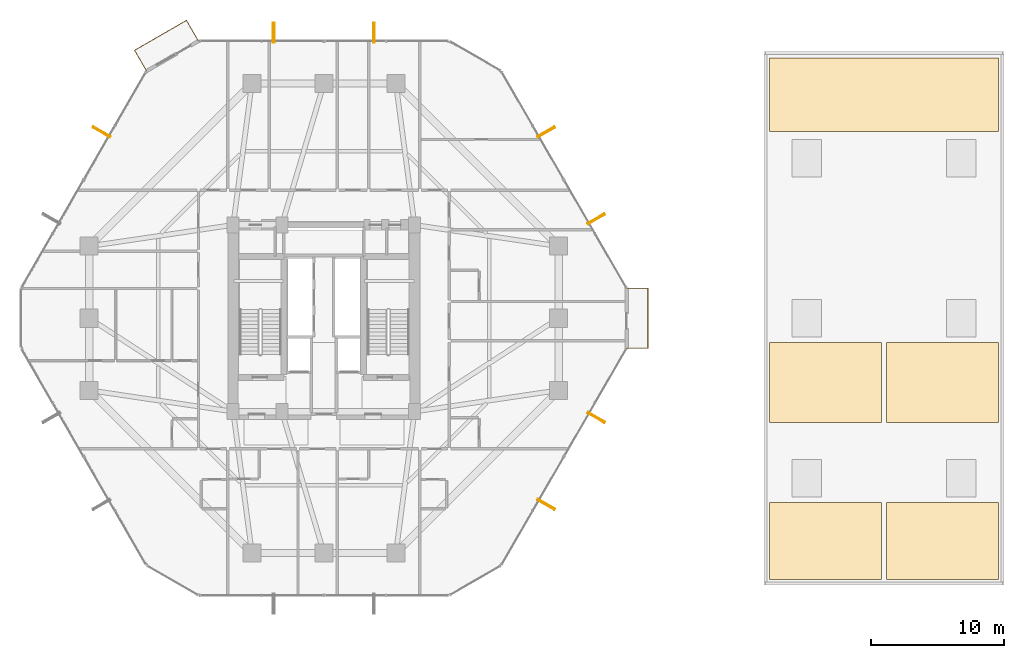
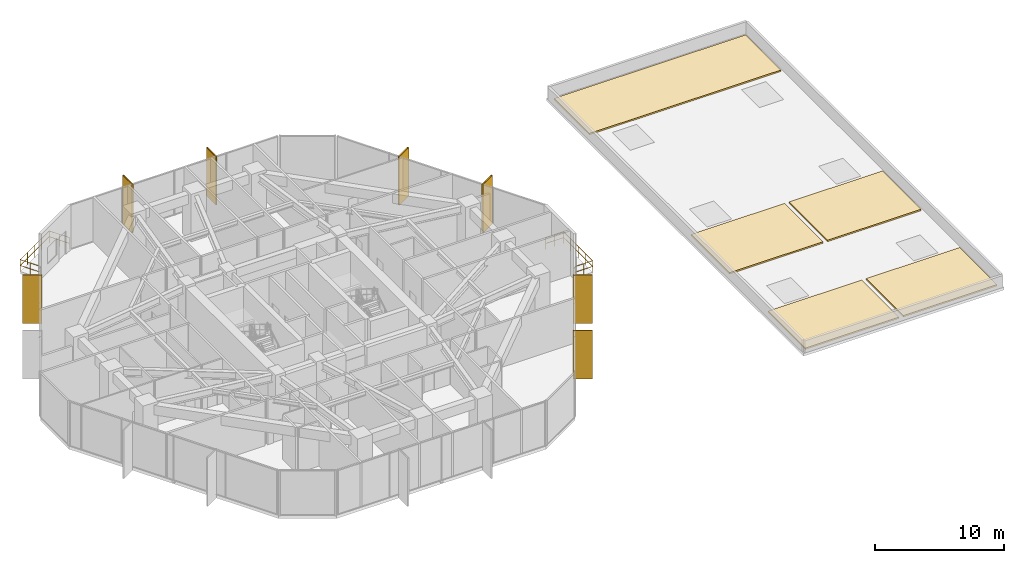
# One storey, part 39 of 39: 7 shading devices, 5 coverings, 2 railings.
"""IFC4 building model written with IfcOpenShell, lengths in metres."""

from ifc_helpers import new_model, si_unit, direction, frame, origin, origin_2d, place, context, subcontext, project, spatial, polyline, hollow_rectangle, circle, outline, extrude, material, layer, layer_set, material_profile, profile_set, type_object, element, save


model = new_model("IFC4")

# Units and contexts
model_context = context("Model", 3, precision=1e-05, world=origin(), true_north=direction((0.0, 1.0)))
body_context = subcontext(model_context, "Body", "Model", "MODEL_VIEW")
ifc_project = project(units=[si_unit("LENGTHUNIT", "METRE"), si_unit("AREAUNIT", "SQUARE_METRE"), si_unit("VOLUMEUNIT", "CUBIC_METRE"), si_unit("PLANEANGLEUNIT", "RADIAN"), si_unit("MASSUNIT", "GRAM", prefix="KILO")], contexts=[model_context])

# Site, building, storey
site_placement = place(None, origin())
site = spatial("IfcSite", under=ifc_project, at=site_placement, CompositionType="ELEMENT")
building_placement = place(site_placement, origin())
building = spatial("IfcBuilding", under=site, at=building_placement, Name="Veraguas Prism Commons", CompositionType="ELEMENT")
storey_placement = place(building_placement, frame((0.0, 0.0, 22.800048828125)))
storey = spatial("IfcBuildingStorey", under=building, at=storey_placement, Name="L05", CompositionType="ELEMENT", Elevation=22.800048828125)

# Shading devices
ifc_material_1 = material(Name="Anodised aluminium EN AW-6063 T6", Category="aluminium")
ifc_material_profile = material_profile(ifc_material_1, hollow_rectangle(XDim=0.1201171875, YDim=1.489990234375, WallThickness=0.006103515625, at=origin_2d()), Name="FIN120X1490X6")
ifc_profile_set = profile_set([ifc_material_profile], Name="Anodised aluminium EN AW-6063 T6")
shading_device_type = type_object("IfcShadingDeviceType", Name="Deep Pale-Metal Vertical Solar Fin 120x1490", PredefinedType="USERDEFINED", material=ifc_profile_set)
for number, where, z_axis, x_axis, name in (
    (1, (44.421630859375, 31.447998046875, -0.330078125), (0.0, 0.0, 1.0), (-0.500003022996, 0.86602365845, 0.0), "Vertical Pale-Metal Solar Fin L05-F1A"),
    (2, (40.660888671875, 37.961669921875, -0.330078125), (0.0, 0.0, 1.0), (-0.500003022996, 0.86602365845, 0.0), "Vertical Pale-Metal Solar Fin L05-F1B"),
    (3, (27.7607421875, 45.40966796875, -0.330078125), (0.0, 0.0, 1.0), (-1.0, 0.0, 0.0), "Vertical Pale-Metal Solar Fin L05-F2A"),
    (4, (20.2392578125, 45.40966796875, -0.330078125), (0.0, 0.0, 1.0), (-1.0, 0.0, 0.0), "Vertical Pale-Metal Solar Fin L05-F2B"),
    (5, (7.339111328125, 37.961669921875, -0.330078125), (0.0, 0.0, 1.0), (-0.500003022996, -0.86602365845, 0.0), "Vertical Pale-Metal Solar Fin L05-F3A"),
    (6, (40.660888671875, 10.038330078125, -0.330078125), (0.0, 0.0, 1.0), (0.500003022996, 0.86602365845, 0.0), "Vertical Pale-Metal Solar Fin L05-F6A"),
    (7, (44.421630859375, 16.552001953125, -0.330078125), (0.0, 0.0, 1.0), (0.500003022996, 0.86602365845, 0.0), "Vertical Pale-Metal Solar Fin L05-F6B"),
):
    element("IfcShadingDevice", number, at=place(storey_placement, frame(where, z_axis=z_axis, x_axis=x_axis)), inside=storey, type_object=shading_device_type, Name=name, ObjectType="FIN", PredefinedType="USERDEFINED", context=body_context, shape_type="SweptSolid", body=[
        extrude(hollow_rectangle(XDim=0.1201171875, YDim=1.489990234375, WallThickness=0.006103515625, at=origin_2d()), origin(), (0.0, 0.0, 1.0), 4.60009765625),
    ])

# Coverings
ifc_material_2 = material(Name="EPDM waterproof membrane")
ifc_layer = layer(ifc_material_2, 0.139892578125, Name="Insulated EPDM Roof Membrane 140")
ifc_layer_set = layer_set([ifc_layer], Name="EPDM waterproof membrane")
covering_type = type_object("IfcCoveringType", Name="Insulated EPDM Roof Membrane 140", PredefinedType="ROOFING", material=ifc_layer_set)
covering_1_placement = place(storey_placement, origin())
element("IfcCovering", 8, at=covering_1_placement, inside=storey, type_object=covering_type, Name="Health Centre Roof Waterproof Membrane 01", PredefinedType="ROOFING", context=body_context, shape_type="SweptSolid", body=[
    extrude(outline(polyline([(57.39990234375, 4.39990234375), (65.800048828125, 4.39990234375), (65.800048828125, 10.199951171875), (57.39990234375, 10.199951171875), (57.39990234375, 4.39990234375)])), origin(), (0.0, 0.0, 1.0), 0.139892578125),
])
covering_2_placement = place(storey_placement, origin())
element("IfcCovering", 9, at=covering_2_placement, inside=storey, type_object=covering_type, Name="Health Centre Roof Waterproof Membrane 02", PredefinedType="ROOFING", context=body_context, shape_type="SweptSolid", body=[
    extrude(outline(polyline([(66.199951171875, 4.39990234375), (74.60009765625, 4.39990234375), (74.60009765625, 10.199951171875), (66.199951171875, 10.199951171875), (66.199951171875, 4.39990234375)])), origin(), (0.0, 0.0, 1.0), 0.139892578125),
])
covering_3_placement = place(storey_placement, origin())
element("IfcCovering", 10, at=covering_3_placement, inside=storey, type_object=covering_type, Name="Health Centre Roof Waterproof Membrane 03", PredefinedType="ROOFING", context=body_context, shape_type="SweptSolid", body=[
    extrude(outline(polyline([(57.39990234375, 16.199951171875), (65.800048828125, 16.199951171875), (65.800048828125, 22.199951171875), (57.39990234375, 22.199951171875), (57.39990234375, 16.199951171875)])), origin(), (0.0, 0.0, 1.0), 0.139892578125),
])
covering_4_placement = place(storey_placement, origin())
element("IfcCovering", 11, at=covering_4_placement, inside=storey, type_object=covering_type, Name="Health Centre Roof Waterproof Membrane 04", PredefinedType="ROOFING", context=body_context, shape_type="SweptSolid", body=[
    extrude(outline(polyline([(66.199951171875, 16.199951171875), (74.60009765625, 16.199951171875), (74.60009765625, 22.199951171875), (66.199951171875, 22.199951171875), (66.199951171875, 16.199951171875)])), origin(), (0.0, 0.0, 1.0), 0.139892578125),
])
covering_5_placement = place(storey_placement, origin())
element("IfcCovering", 12, at=covering_5_placement, inside=storey, type_object=covering_type, Name="Health Centre Roof Waterproof Membrane 05", PredefinedType="ROOFING", context=body_context, shape_type="SweptSolid", body=[
    extrude(outline(polyline([(57.39990234375, 38.0), (74.60009765625, 38.0), (74.60009765625, 43.5), (57.39990234375, 43.5), (57.39990234375, 38.0)])), origin(), (0.0, 0.0, 1.0), 0.139892578125),
])

# Railings
ifc_material_3 = material(Name="Stainless steel AISI 316", Category="steel")
railing_type_1 = type_object("IfcRailingType", Name="Loggia and Sky Pool Glazed Balustrade 1120", PredefinedType="BALUSTRADE", material=ifc_material_3)
railing_1_placement = place(storey_placement, frame((46.700927734375, 21.75, 0.0)))
element("IfcRailing", 13, at=railing_1_placement, inside=storey, type_object=railing_type_1, Name="Recessed Corner Loggia L05-C1 Guard", PredefinedType="BALUSTRADE", context=body_context, shape_type="SweptSolid", body=[
    extrude(circle(Radius=0.02392578125, at=origin_2d()), frame((0.0, 0.0, 1.09619140625), z_axis=(1.0, 0.0, 0.0), x_axis=(0.0, 1.0, 0.0)), (0.0, 0.0, 1.0), 1.60009765625),
    extrude(circle(Radius=0.02392578125, at=origin_2d()), frame((0.0, 0.0, 0.56005859375), z_axis=(1.0, 0.0, 0.0), x_axis=(0.0, 1.0, 0.0)), (0.0, 0.0, 1.0), 1.60009765625),
    extrude(circle(Radius=0.02392578125, at=origin_2d()), frame((1.60009765625, 0.0, 1.09619140625), z_axis=(0.0, 1.0, 0.0), x_axis=(-1.0, 0.0, 0.0)), (0.0, 0.0, 1.0), 4.5),
    extrude(circle(Radius=0.02392578125, at=origin_2d()), frame((1.60009765625, 0.0, 0.56005859375), z_axis=(0.0, 1.0, 0.0), x_axis=(-1.0, 0.0, 0.0)), (0.0, 0.0, 1.0), 4.5),
    extrude(circle(Radius=0.02392578125, at=origin_2d()), frame((1.60009765625, 4.5, 1.09619140625), z_axis=(-1.0, 0.0, 0.0), x_axis=(0.0, -1.0, 0.0)), (0.0, 0.0, 1.0), 1.60009765625),
    extrude(circle(Radius=0.02392578125, at=origin_2d()), frame((1.60009765625, 4.5, 0.56005859375), z_axis=(-1.0, 0.0, 0.0), x_axis=(0.0, -1.0, 0.0)), (0.0, 0.0, 1.0), 1.60009765625),
    extrude(circle(Radius=0.02099609375, at=origin_2d()), origin(), (0.0, 0.0, 1.0), 1.072021484375),
    extrude(circle(Radius=0.02099609375, at=origin_2d()), frame((0.800048828125, 0.0, 0.0)), (0.0, 0.0, 1.0), 1.072021484375),
    extrude(circle(Radius=0.02099609375, at=origin_2d()), frame((1.60009765625, 0.0, 0.0)), (0.0, 0.0, 1.0), 1.072021484375),
    extrude(circle(Radius=0.02099609375, at=origin_2d()), frame((1.60009765625, 1.125, 0.0)), (0.0, 0.0, 1.0), 1.072021484375),
    extrude(circle(Radius=0.02099609375, at=origin_2d()), frame((1.60009765625, 2.25, 0.0)), (0.0, 0.0, 1.0), 1.072021484375),
    extrude(circle(Radius=0.02099609375, at=origin_2d()), frame((1.60009765625, 3.375, 0.0)), (0.0, 0.0, 1.0), 1.072021484375),
    extrude(circle(Radius=0.02099609375, at=origin_2d()), frame((1.60009765625, 4.5, 0.0)), (0.0, 0.0, 1.0), 1.072021484375),
    extrude(circle(Radius=0.02099609375, at=origin_2d()), frame((0.800048828125, 4.5, 0.0)), (0.0, 0.0, 1.0), 1.072021484375),
    extrude(circle(Radius=0.02099609375, at=origin_2d()), frame((0.0, 4.5, 0.0)), (0.0, 0.0, 1.0), 1.072021484375),
])
railing_type_2 = type_object("IfcRailingType", Name="Setback and Wind Portal Guardrail 1150", PredefinedType="GUARDRAIL", material=ifc_material_3)
railing_2_placement = place(storey_placement, frame((14.59814453125, 44.78466796875, 0.0)))
element("IfcRailing", 14, at=railing_2_placement, inside=storey, type_object=railing_type_2, Name="Setback Sky Terrace L05 Guard", PredefinedType="GUARDRAIL", context=body_context, shape_type="SweptSolid", body=[
    extrude(circle(Radius=0.02392578125, at=origin_2d()), frame((0.0, 0.0, 1.1259765625), z_axis=(-0.500062916607, 0.865989075817, 0.0), x_axis=(-0.865989075817, -0.500062916607, 0.0)), (0.0, 0.0, 1.0), 1.800048828125),
    extrude(circle(Radius=0.02392578125, at=origin_2d()), frame((0.0, 0.0, 0.574951171875), z_axis=(-0.500062916607, 0.865989075817, 0.0), x_axis=(-0.865989075817, -0.500062916607, 0.0)), (0.0, 0.0, 1.0), 1.800048828125),
    extrude(circle(Radius=0.02392578125, at=origin_2d()), frame((-0.900146484375, 1.558837890625, 1.1259765625), z_axis=(-0.866017533419, -0.500013631625, 0.0), x_axis=(0.500013631625, -0.866017533419, 0.0)), (0.0, 0.0, 1.0), 4.499755859375),
    extrude(circle(Radius=0.02392578125, at=origin_2d()), frame((-0.900146484375, 1.558837890625, 0.574951171875), z_axis=(-0.866017533419, -0.500013631625, 0.0), x_axis=(0.500013631625, -0.866017533419, 0.0)), (0.0, 0.0, 1.0), 4.499755859375),
    extrude(circle(Radius=0.02392578125, at=origin_2d()), frame((-4.797119140625, -0.691162109375, 1.1259765625), z_axis=(0.499961193289, -0.866047807691, 0.0), x_axis=(0.866047807691, 0.499961193289, 0.0)), (0.0, 0.0, 1.0), 1.800048828125),
    extrude(circle(Radius=0.02392578125, at=origin_2d()), frame((-4.797119140625, -0.691162109375, 0.574951171875), z_axis=(0.499961193289, -0.866047807691, 0.0), x_axis=(0.866047807691, 0.499961193289, 0.0)), (0.0, 0.0, 1.0), 1.800048828125),
    extrude(circle(Radius=0.02099609375, at=origin_2d()), origin(), (0.0, 0.0, 1.0), 1.101806640625),
    extrude(circle(Radius=0.02099609375, at=origin_2d()), frame((-0.4501953125, 0.779296875, 0.0)), (0.0, 0.0, 1.0), 1.101806640625),
    extrude(circle(Radius=0.02099609375, at=origin_2d()), frame((-0.900146484375, 1.558837890625, 0.0)), (0.0, 0.0, 1.0), 1.101806640625),
    extrude(circle(Radius=0.02099609375, at=origin_2d()), frame((-1.87451171875, 0.996337890625, 0.0)), (0.0, 0.0, 1.0), 1.101806640625),
    extrude(circle(Radius=0.02099609375, at=origin_2d()), frame((-2.8486328125, 0.433837890625, 0.0)), (0.0, 0.0, 1.0), 1.101806640625),
    extrude(circle(Radius=0.02099609375, at=origin_2d()), frame((-3.82275390625, -0.128662109375, 0.0)), (0.0, 0.0, 1.0), 1.101806640625),
    extrude(circle(Radius=0.02099609375, at=origin_2d()), frame((-4.797119140625, -0.691162109375, 0.0)), (0.0, 0.0, 1.0), 1.101806640625),
    extrude(circle(Radius=0.02099609375, at=origin_2d()), frame((-4.34716796875, -1.470703125, 0.0)), (0.0, 0.0, 1.0), 1.101806640625),
    extrude(circle(Radius=0.02099609375, at=origin_2d()), frame((-3.897216796875, -2.25, 0.0)), (0.0, 0.0, 1.0), 1.101806640625),
])

save(model, "model.ifc")
